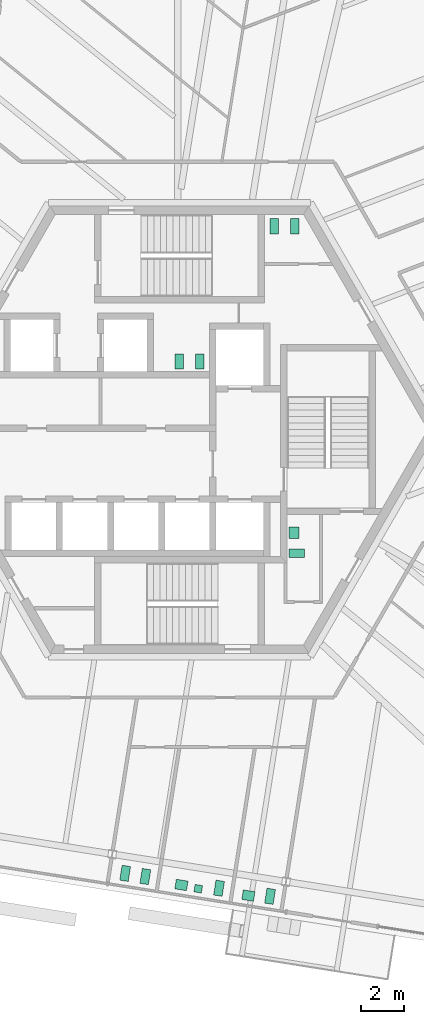
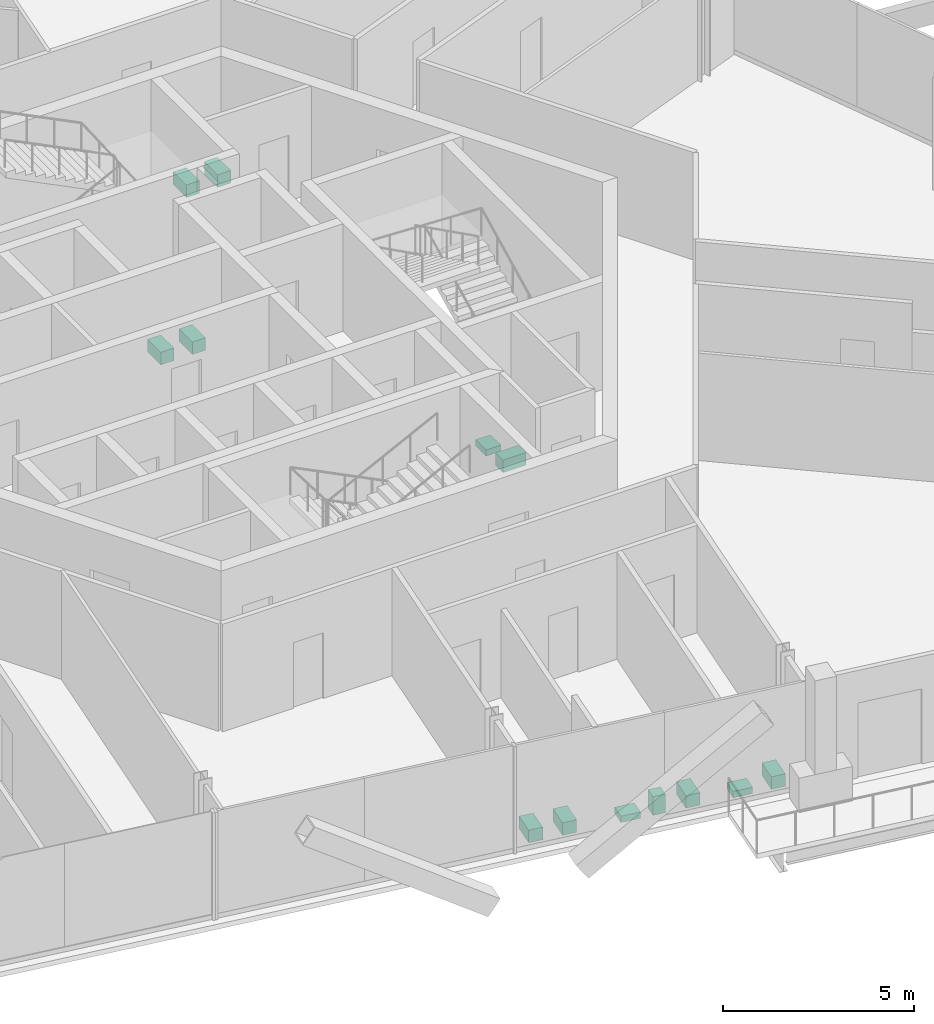
# One storey, part 16 of 18: 13 sanitary terminals.
"""IFC4 building model written with IfcOpenShell, lengths in metres."""

from ifc_helpers import new_model, si_unit, direction, frame, origin, origin_2d, place, context, subcontext, project, spatial, rectangle, extrude, source, transform, mapped, material, element, save


model = new_model("IFC4")

# Units and contexts
model_context = context("Model", 3, precision=1e-05, world=origin(), true_north=direction((0.0, 1.0)))
body_context = subcontext(model_context, "Body", "Model", "MODEL_VIEW")
ifc_project = project(units=[si_unit("LENGTHUNIT", "METRE"), si_unit("AREAUNIT", "SQUARE_METRE"), si_unit("VOLUMEUNIT", "CUBIC_METRE"), si_unit("PLANEANGLEUNIT", "RADIAN"), si_unit("MASSUNIT", "GRAM", prefix="KILO")], contexts=[model_context])

# Site, building, storey
site_placement = place(None, origin())
site = spatial("IfcSite", under=ifc_project, at=site_placement, CompositionType="ELEMENT")
building_placement = place(site_placement, origin())
building = spatial("IfcBuilding", under=site, at=building_placement, Name="Triune Harvest Tower", CompositionType="ELEMENT")
storey_placement = place(building_placement, frame((0.0, 0.0, 156.89990234375)))
storey = spatial("IfcBuildingStorey", under=building, at=storey_placement, Name="L40", CompositionType="ELEMENT", Elevation=156.89990234375)

# Sanitary terminals
ifc_material = material(Name="Vitreous china")
shared_shape_1 = source(origin(), body_context, "Body", "SweptSolid", [
    extrude(rectangle(XDim=0.39990234375, YDim=0.699951171875, at=origin_2d()), origin(), (0.0, 0.0, 1.0), 0.39990234375),
])
for number, where, z_axis, x_axis, name in (
    (1, (4.39990234375, 9.449951171875, 0.000244140625), (0.0, 0.0, 1.0), (1.0, 0.0, 0.0), "Toilet pan L40.c01"),
    (2, (5.35009765625, 9.449951171875, 0.000244140625), (0.0, 0.0, 1.0), (1.0, 0.0, 0.0), "Toilet pan L40.c02"),
    (3, (0.949951171875, 3.159912109375, 0.000244140625), (0.0, 0.0, 1.0), (-1.0, 0.0, 0.0), "Toilet pan L40.c03"),
    (4, (0.0, 3.159912109375, 0.000244140625), (0.0, 0.0, 1.0), (-1.0, 0.0, 0.0), "Toilet pan L40.c04"),
    (5, (5.449951171875, -5.739990234375, 0.000244140625), (0.0, 0.0, 1.0), (0.0, 1.0, 0.0), "Toilet pan L40.c05"),
    (6, (-1.581787109375, -20.7587890625, 0.000244140625), (0.0, 0.0, 1.0), (-0.987688340595, 0.15643446504, 0.0), "Toilet pan 01"),
    (7, (-2.52001953125, -20.610107421875, 0.000244140625), (0.0, 0.0, 1.0), (-0.987688340595, 0.15643446504, 0.0), "Toilet pan 02"),
    (8, (1.840576171875, -21.30078125, 0.000244140625), (0.0, 0.0, 1.0), (-0.987688340595, 0.15643446504, 0.0), "Toilet pan 03"),
    (9, (4.2109375, -21.67626953125, 0.000244140625), (0.0, 0.0, 1.0), (-0.987688340595, 0.15643446504, 0.0), "Toilet pan 06"),
):
    element("IfcSanitaryTerminal", number, at=place(storey_placement, frame(where, z_axis=z_axis, x_axis=x_axis)), inside=storey, material=ifc_material, Name=name, PredefinedType="TOILETPAN", context=body_context, shape_type="MappedRepresentation", body=[
        mapped(shared_shape_1, transform((0.0, 0.0, 0.0), scale=1.0)),
    ])
shared_shape_2 = source(origin(), body_context, "Body", "SweptSolid", [
    extrude(rectangle(XDim=0.35009765625, YDim=0.35009765625, at=origin_2d()), origin(), (0.0, 0.0, 1.0), 0.60009765625),
])
sanitary_terminal_placement = place(storey_placement, frame((0.874755859375, -21.324951171875, 0.0), z_axis=(0.0, 0.0, 1.0), x_axis=(-0.987688340595, 0.15643446504, 0.0)))
element("IfcSanitaryTerminal", 10, at=sanitary_terminal_placement, inside=storey, material=ifc_material, Name="Urinal 04", PredefinedType="URINAL", context=body_context, shape_type="MappedRepresentation", body=[
    mapped(shared_shape_2, transform((0.0, 0.0, 0.0), scale=1.0)),
])
shared_shape_3 = source(origin(), body_context, "Body", "SweptSolid", [
    extrude(rectangle(XDim=0.550048828125, YDim=0.449951171875, at=origin_2d()), origin(), (0.0, 0.0, 1.0), 0.199951171875),
])
for number, where, z_axis, x_axis, name in (
    (11, (5.324951171875, -4.7900390625, 0.0), (0.0, 0.0, 1.0), (0.0, 1.0, 0.0), "Wash basin L40.c06"),
    (12, (0.092529296875, -21.150390625, 0.0), (0.0, 0.0, 1.0), (-0.987688340595, 0.15643446504, 0.0), "Wash basin 05"),
    (13, (3.20361328125, -21.643310546875, 0.0), (0.0, 0.0, 1.0), (-0.987688340595, 0.15643446504, 0.0), "Wash basin 07"),
):
    element("IfcSanitaryTerminal", number, at=place(storey_placement, frame(where, z_axis=z_axis, x_axis=x_axis)), inside=storey, material=ifc_material, Name=name, PredefinedType="WASHHANDBASIN", context=body_context, shape_type="MappedRepresentation", body=[
        mapped(shared_shape_3, transform((0.0, 0.0, 0.0), scale=1.0)),
    ])

save(model, "model.ifc")
